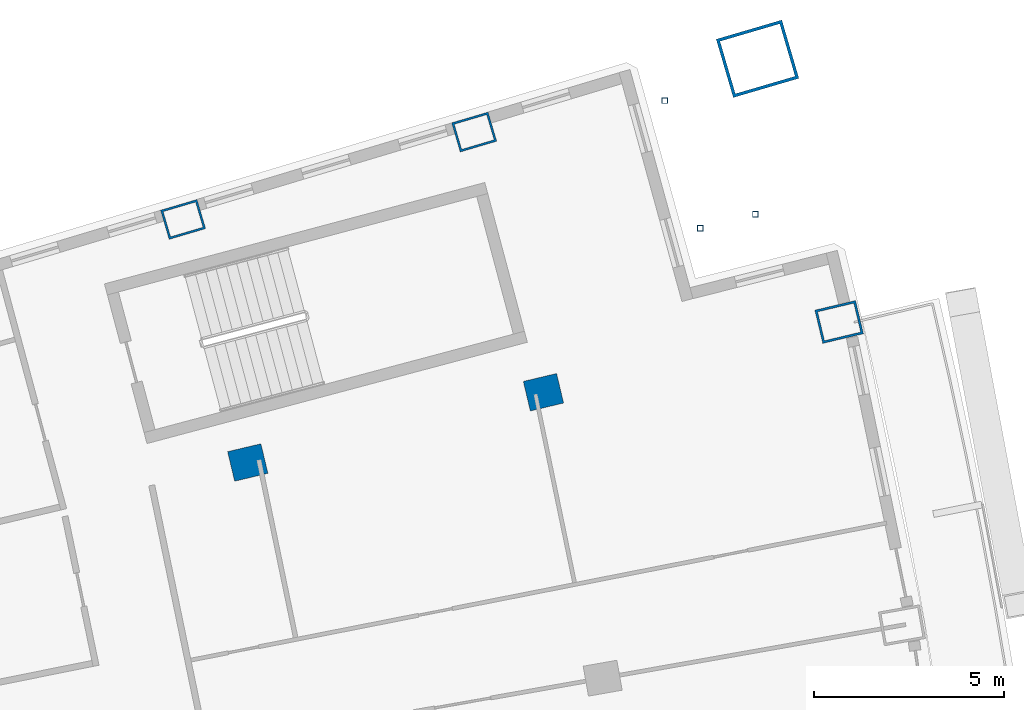
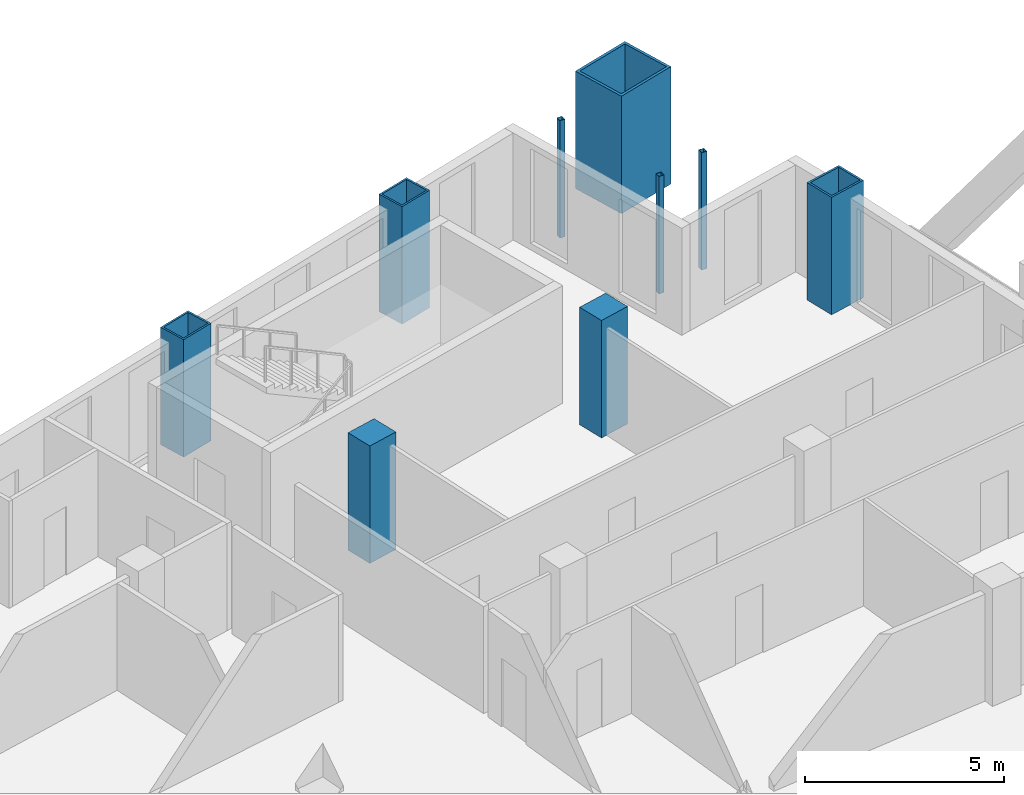
# One storey, part 8 of 20: 9 columns.
"""IFC4 building model written with IfcOpenShell, lengths in metres."""

from ifc_helpers import new_model, si_unit, direction, frame, origin, origin_2d, place, context, subcontext, project, spatial, rectangle, hollow_rectangle, extrude, material, material_profile, profile_set, type_object, element, save


model = new_model("IFC4")

# Units and contexts
model_context = context("Model", 3, precision=1e-05, world=origin(), true_north=direction((0.0, 1.0)))
body_context = subcontext(model_context, "Body", "Model", "MODEL_VIEW")
ifc_project = project(units=[si_unit("LENGTHUNIT", "METRE"), si_unit("AREAUNIT", "SQUARE_METRE"), si_unit("VOLUMEUNIT", "CUBIC_METRE"), si_unit("PLANEANGLEUNIT", "RADIAN"), si_unit("MASSUNIT", "GRAM", prefix="KILO")], contexts=[model_context])

# Site, building, storey
site_placement = place(None, origin())
site = spatial("IfcSite", under=ifc_project, at=site_placement, CompositionType="ELEMENT")
building_placement = place(site_placement, origin())
building = spatial("IfcBuilding", under=site, at=building_placement, Name="Alderwake Tower", CompositionType="ELEMENT")
storey_placement = place(building_placement, frame((0.0, 0.0, 149.60009765625)))
storey = spatial("IfcBuildingStorey", under=building, at=storey_placement, Name="L36", CompositionType="ELEMENT", Elevation=149.60009765625)

# Columns
ifc_material_1 = material(Name="Steel ASTM A572 Grade 50 concrete filled C70/85", Category="concrete")
ifc_material_profile_1 = material_profile(ifc_material_1, hollow_rectangle(XDim=0.800048828125, YDim=1.0, WallThickness=0.054931640625, at=origin_2d()), Name="BOX 1000X800X55")
ifc_profile_set_1 = profile_set([ifc_material_profile_1], Name="Steel ASTM A572 Grade 50 concrete filled C70/85")
column_type_1 = type_object("IfcColumnType", Name="End column Z3", PredefinedType="COLUMN", material=ifc_profile_set_1)
for number, where, z_axis, x_axis, name in (
    (1, (38.74267578125, 96.0234375, 0.0), (0.0, 0.0, 1.0), (-0.282903979359, 0.959148235917, 0.0), "Column R12-C3"),
    (2, (46.40478515625, 98.323974609375, 0.0), (0.0, 0.0, 1.0), (-0.283185204145, 0.959065242908, 0.0), "Column R12-C4"),
):
    element("IfcColumn", number, at=place(storey_placement, frame(where, z_axis=z_axis, x_axis=x_axis)), inside=storey, type_object=column_type_1, Name=name, PredefinedType="COLUMN", context=body_context, shape_type="SweptSolid", body=[
        extrude(hollow_rectangle(XDim=0.800048828125, YDim=1.0, WallThickness=0.054931640625, at=origin_2d()), origin(), (0.0, 0.0, 1.0), 3.599853515625),
    ])
ifc_material_2 = material(Name="Concrete C70/85", Category="concrete")
ifc_material_profile_2 = material_profile(ifc_material_2, rectangle(XDim=0.800048828125, YDim=0.89990234375, at=origin_2d()), Name="RC 900X800")
ifc_profile_set_2 = profile_set([ifc_material_profile_2], Name="Concrete C70/85")
column_type_2 = type_object("IfcColumnType", Name="Interior column Z3", PredefinedType="COLUMN", material=ifc_profile_set_2)
for number, where, z_axis, x_axis, name in (
    (3, (40.4453125, 89.625244140625, 0.0), (0.0, 0.0, 1.0), (-0.231221547198, 0.972901123502, 0.0), "Column R11-C3"),
    (4, (48.228515625, 91.47509765625, 0.0), (0.0, 0.0, 1.0), (-0.231221547198, 0.972901123502, 0.0), "Column R11-C4"),
):
    element("IfcColumn", number, at=place(storey_placement, frame(where, z_axis=z_axis, x_axis=x_axis)), inside=storey, type_object=column_type_2, Name=name, PredefinedType="COLUMN", context=body_context, shape_type="SweptSolid", body=[
        extrude(rectangle(XDim=0.800048828125, YDim=0.89990234375, at=origin_2d()), origin(), (0.0, 0.0, 1.0), 3.599853515625),
    ])
ifc_material_3 = material(Name="Steel ASTM A500 Grade C", Category="steel")
ifc_material_profile_3 = material_profile(ifc_material_3, hollow_rectangle(XDim=0.15234375, YDim=0.15234375, WallThickness=0.0087890625, at=origin_2d()), Name="HSS6X6X3/8")
ifc_profile_set_3 = profile_set([ifc_material_profile_3], Name="Steel ASTM A500 Grade C")
column_type_3 = type_object("IfcColumnType", Name="Light post HSS6X6X3/8", PredefinedType="COLUMN", material=ifc_profile_set_3)
for number, where, z_axis, x_axis, name in (
    (5, (53.807861328125, 96.159423828125, 0.0), (0.0, 0.0, 1.0), (1.0, 0.0, 0.0), "Terrace post FN1"),
    (6, (51.42431640625, 99.152099609375, 0.0), (0.0, 0.0, 1.0), (1.0, 0.0, 0.0), "Terrace post FN2"),
    (7, (52.353759765625, 95.791259765625, 0.0), (0.0, 0.0, 1.0), (1.0, 0.0, 0.0), "Terrace post FN3"),
):
    element("IfcColumn", number, at=place(storey_placement, frame(where, z_axis=z_axis, x_axis=x_axis)), inside=storey, type_object=column_type_3, Name=name, PredefinedType="COLUMN", context=body_context, shape_type="SweptSolid", body=[
        extrude(hollow_rectangle(XDim=0.15234375, YDim=0.15234375, WallThickness=0.0087890625, at=origin_2d()), origin(), (0.0, 0.0, 1.0), 3.599853515625),
    ])
ifc_material_4 = material(Name="Steel ASTM A572 Grade 50 concrete filled C70/85", Category="concrete")
ifc_material_profile_4 = material_profile(ifc_material_4, hollow_rectangle(XDim=1.60009765625, YDim=1.800048828125, WallThickness=0.080078125, at=origin_2d()), Name="BOX 1800X1600X80")
ifc_profile_set_4 = profile_set([ifc_material_profile_4], Name="Steel ASTM A572 Grade 50 concrete filled C70/85")
column_type_4 = type_object("IfcColumnType", Name="Mega column Z3", PredefinedType="COLUMN", material=ifc_profile_set_4)
column_1_placement = place(storey_placement, frame((53.86376953125, 100.252197265625, 0.0), z_axis=(0.0, 0.0, 1.0), x_axis=(-0.281376906736, 0.959597330319, 0.0)))
element("IfcColumn", 8, at=column_1_placement, inside=storey, type_object=column_type_4, Name="Column R12-C5", PredefinedType="COLUMN", context=body_context, shape_type="SweptSolid", body=[
    extrude(hollow_rectangle(XDim=1.60009765625, YDim=1.800048828125, WallThickness=0.080078125, at=origin_2d()), origin(), (0.0, 0.0, 1.0), 3.599853515625),
])
ifc_material_5 = material(Name="Steel ASTM A572 Grade 50 concrete filled C70/85", Category="concrete")
ifc_material_profile_5 = material_profile(ifc_material_5, hollow_rectangle(XDim=0.89990234375, YDim=1.10009765625, WallThickness=0.06005859375, at=origin_2d()), Name="BOX 1100X900X60")
ifc_profile_set_5 = profile_set([ifc_material_profile_5], Name="Steel ASTM A572 Grade 50 concrete filled C70/85")
column_type_5 = type_object("IfcColumnType", Name="Perimeter column Z3", PredefinedType="COLUMN", material=ifc_profile_set_5)
column_2_placement = place(storey_placement, frame((56.01171875, 93.32470703125, 0.0), z_axis=(0.0, 0.0, 1.0), x_axis=(-0.231221547198, 0.972901123502, 0.0)))
element("IfcColumn", 9, at=column_2_placement, inside=storey, type_object=column_type_5, Name="Column R11-C5", PredefinedType="COLUMN", context=body_context, shape_type="SweptSolid", body=[
    extrude(hollow_rectangle(XDim=0.89990234375, YDim=1.10009765625, WallThickness=0.06005859375, at=origin_2d()), origin(), (0.0, 0.0, 1.0), 3.599853515625),
])

save(model, "model.ifc")
